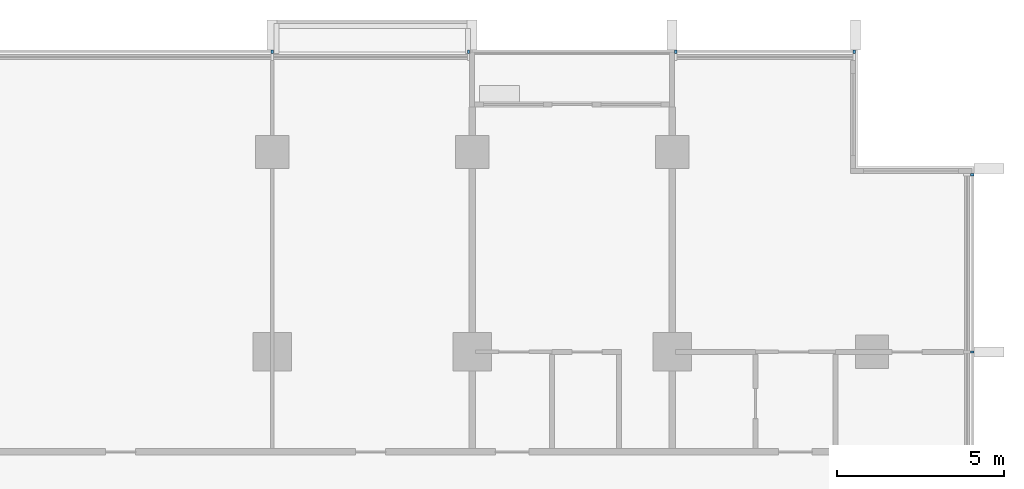
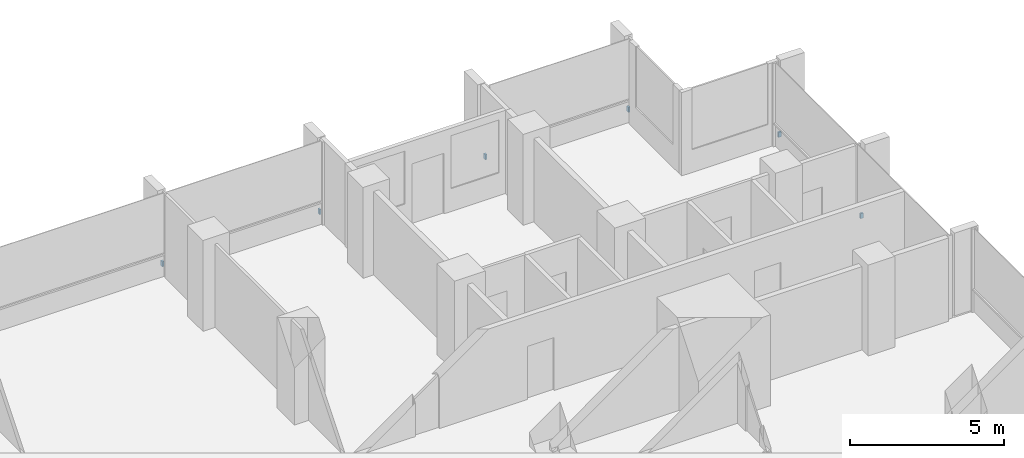
# One storey, part 16 of 17: 6 discrete accessories.
"""IFC4 building model written with IfcOpenShell, lengths in metres."""

from ifc_helpers import new_model, si_unit, direction, frame, origin, origin_2d, place, context, subcontext, project, spatial, rectangle, extrude, material, type_object, element, save


model = new_model("IFC4")

# Units and contexts
model_context = context("Model", 3, precision=1e-05, world=origin(), true_north=direction((0.0, 1.0)))
body_context = subcontext(model_context, "Body", "Model", "MODEL_VIEW")
ifc_project = project(units=[si_unit("LENGTHUNIT", "METRE"), si_unit("AREAUNIT", "SQUARE_METRE"), si_unit("VOLUMEUNIT", "CUBIC_METRE"), si_unit("PLANEANGLEUNIT", "RADIAN"), si_unit("MASSUNIT", "GRAM", prefix="KILO")], contexts=[model_context])

# Site, building, storey
site_placement = place(None, origin())
site = spatial("IfcSite", under=ifc_project, at=site_placement, CompositionType="ELEMENT")
building_placement = place(site_placement, origin())
building = spatial("IfcBuilding", under=site, at=building_placement, Name="Finial Court Residences", CompositionType="ELEMENT")
storey_placement = place(building_placement, frame((0.0, 0.0, 117.10009765625)))
storey = spatial("IfcBuildingStorey", under=building, at=storey_placement, Name="L29", CompositionType="ELEMENT", Elevation=117.10009765625)

# Discrete accessories
ifc_material = material(Name="Stainless steel 316", Category="steel")
discrete_accessory_type = type_object("IfcDiscreteAccessoryType", Name="Fin bracket, stainless steel 65 x 110 x 200", PredefinedType="BRACKET", material=ifc_material)
for number, where, z_axis, x_axis, name in (
    (1, (4.5, 22.5048828125, 0.2998046875), (0.0, 0.0, 1.0), (1.0, 0.0, 0.0), "E-L29-FIN-N5-BRK"),
    (2, (10.392578125, 22.5048828125, 0.2998046875), (0.0, 0.0, 1.0), (1.0, 0.0, 0.0), "E-L29-FIN-N6-BRK"),
    (3, (16.607421875, 22.5048828125, 0.2998046875), (0.0, 0.0, 1.0), (1.0, 0.0, 0.0), "E-L29-FIN-N7-BRK"),
    (4, (21.967529296875, 22.5048828125, 0.2998046875), (0.0, 0.0, 1.0), (1.0, 0.0, 0.0), "E-L29-FIN-N8-BRK"),
):
    element("IfcDiscreteAccessory", number, at=place(storey_placement, frame(where, z_axis=z_axis, x_axis=x_axis)), inside=storey, type_object=discrete_accessory_type, Name=name, PredefinedType="BRACKET", context=body_context, shape_type="SweptSolid", body=[
        extrude(rectangle(XDim=0.06494140625, YDim=0.110107421875, at=origin_2d()), origin(), (0.0, 0.0, 1.0), 0.199951171875),
    ])
for number, where, z_axis, x_axis, name in (
    (5, (25.5048828125, 13.5, 0.2998046875), (0.0, 0.0, 1.0), (1.0, 0.0, 0.0), "E-L29-FIN-E14-BRK"),
    (6, (25.5048828125, 18.8173828125, 0.2998046875), (0.0, 0.0, 1.0), (1.0, 0.0, 0.0), "E-L29-FIN-E15-BRK"),
):
    element("IfcDiscreteAccessory", number, at=place(storey_placement, frame(where, z_axis=z_axis, x_axis=x_axis)), inside=storey, type_object=discrete_accessory_type, Name=name, PredefinedType="BRACKET", context=body_context, shape_type="SweptSolid", body=[
        extrude(rectangle(XDim=0.110107421875, YDim=0.06494140625, at=origin_2d()), origin(), (0.0, 0.0, 1.0), 0.199951171875),
    ])

save(model, "model.ifc")
